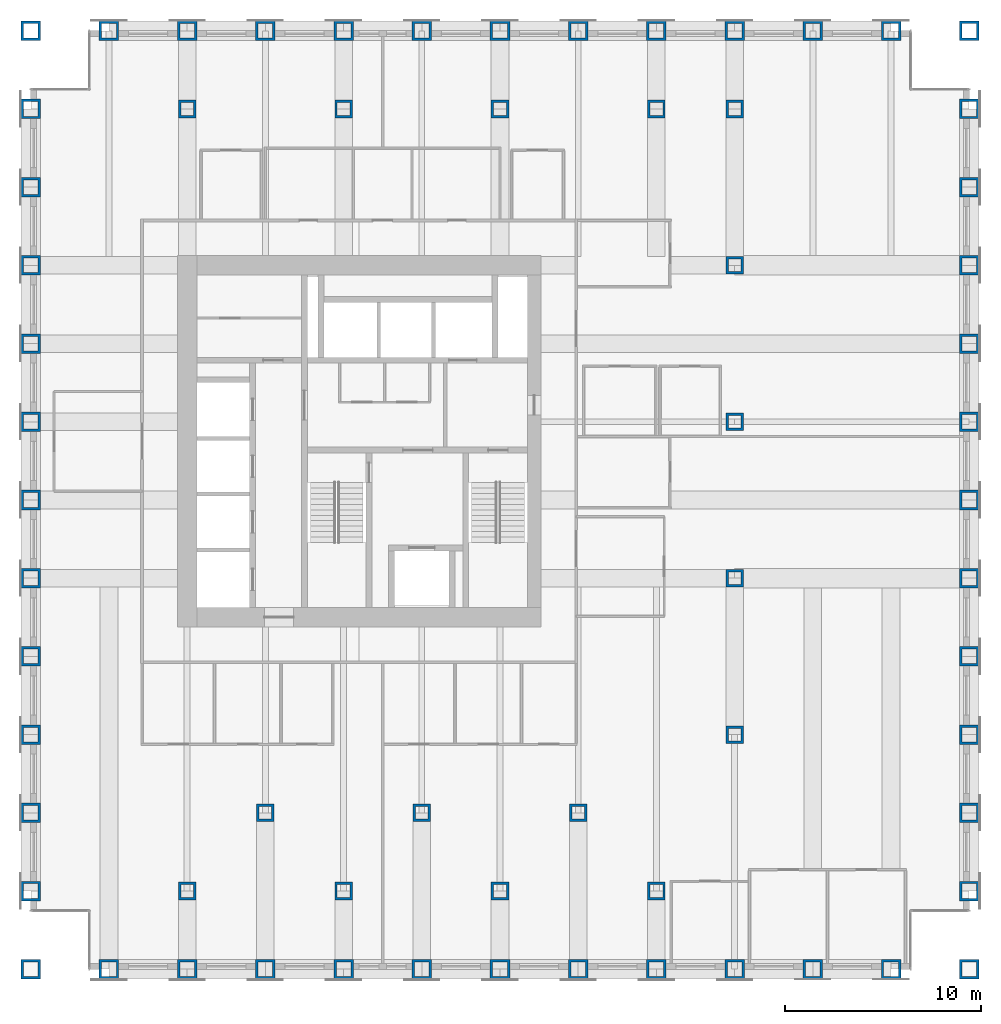
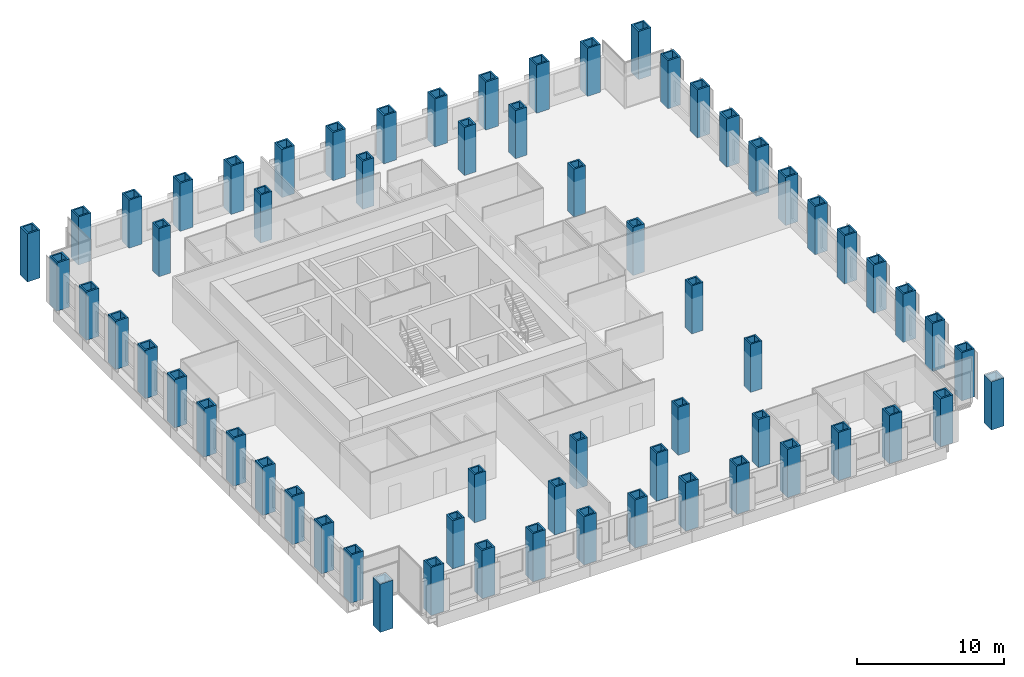
# One storey, part 1 of 17: 64 columns.
"""IFC4 building model written with IfcOpenShell, lengths in metres."""

from ifc_helpers import new_model, si_unit, direction, frame, origin, origin_2d, place, context, subcontext, project, spatial, hollow_rectangle, extrude, material, material_profile, profile_set, type_object, element, save


model = new_model("IFC4")

# Units and contexts
model_context = context("Model", 3, precision=1e-05, world=origin(), true_north=direction((0.0, 1.0)))
body_context = subcontext(model_context, "Body", "Model", "MODEL_VIEW")
ifc_project = project(units=[si_unit("LENGTHUNIT", "METRE"), si_unit("AREAUNIT", "SQUARE_METRE"), si_unit("VOLUMEUNIT", "CUBIC_METRE"), si_unit("PLANEANGLEUNIT", "RADIAN"), si_unit("MASSUNIT", "GRAM", prefix="KILO")], contexts=[model_context])

# Site, building, storey
site_placement = place(None, origin())
site = spatial("IfcSite", under=ifc_project, at=site_placement, CompositionType="ELEMENT")
building_placement = place(site_placement, origin())
building = spatial("IfcBuilding", under=site, at=building_placement, Name="Rimbunsela Tower", CompositionType="ELEMENT")
storey_placement = place(building_placement, frame((0.0, 0.0, 101.39990234375)))
storey = spatial("IfcBuildingStorey", under=building, at=storey_placement, Name="L24", CompositionType="ELEMENT", Elevation=101.39990234375)

# Columns
ifc_material_1 = material(Name="Steel BJ 55 (fy 410 MPa)", Category="steel")
ifc_material_profile_1 = material_profile(ifc_material_1, hollow_rectangle(XDim=1.0, YDim=1.0, WallThickness=0.125, at=origin_2d()), Name="BOX 1000x1000x125")
ifc_profile_set_1 = profile_set([ifc_material_profile_1], Name="Steel BJ 55 (fy 410 MPa)")
column_type_1 = type_object("IfcColumnType", Name="Column BOX 1000x1000x125", PredefinedType="COLUMN", material=ifc_profile_set_1)
for number, where, z_axis, x_axis, name in (
    (1, (10.0, 0.0, 0.0), (0.0, 0.0, 1.0), (1.0, 0.0, 0.0), "Column C8 5/B L24"),
    (2, (10.0, 4.0, 0.0), (0.0, 0.0, 1.0), (1.0, 0.0, 0.0), "Column C8 5/C L24"),
    (3, (10.0, 8.0, 0.0), (0.0, 0.0, 1.0), (1.0, 0.0, 0.0), "Column C8 5/D L24"),
    (4, (10.0, 12.0, 0.0), (0.0, 0.0, 1.0), (1.0, 0.0, 0.0), "Column C8 5/E L24"),
    (5, (10.0, 16.0, 0.0), (0.0, 0.0, 1.0), (1.0, 0.0, 0.0), "Column C8 5/F L24"),
    (6, (10.0, 20.0, 0.0), (0.0, 0.0, 1.0), (1.0, 0.0, 0.0), "Column C8 5/G L24"),
    (7, (10.0, 24.0, 0.0), (0.0, 0.0, 1.0), (1.0, 0.0, 0.0), "Column C8 5/H L24"),
    (8, (10.0, 28.0, 0.0), (0.0, 0.0, 1.0), (1.0, 0.0, 0.0), "Column C8 5/J L24"),
    (9, (10.0, 32.0, 0.0), (0.0, 0.0, 1.0), (1.0, 0.0, 0.0), "Column C8 5/K L24"),
    (10, (10.0, 36.0, 0.0), (0.0, 0.0, 1.0), (1.0, 0.0, 0.0), "Column C8 5/L L24"),
    (11, (10.0, 40.0, 0.0), (0.0, 0.0, 1.0), (1.0, 0.0, 0.0), "Column C8 5/M L24"),
    (12, (10.0, 44.0, 0.0), (0.0, 0.0, 1.0), (1.0, 0.0, 0.0), "Column C8 5/N L24"),
    (13, (10.0, 48.0, 0.0), (0.0, 0.0, 1.0), (1.0, 0.0, 0.0), "Column C8 5/P L24"),
    (14, (14.0, 0.0, 0.0), (0.0, 0.0, 1.0), (1.0, 0.0, 0.0), "Column C8 6/B L24"),
    (15, (14.0, 48.0, 0.0), (0.0, 0.0, 1.0), (1.0, 0.0, 0.0), "Column C8 6/P L24"),
    (16, (18.0, 0.0, 0.0), (0.0, 0.0, 1.0), (1.0, 0.0, 0.0), "Column C8 7/B L24"),
    (17, (18.0, 48.0, 0.0), (0.0, 0.0, 1.0), (1.0, 0.0, 0.0), "Column C8 7/P L24"),
    (18, (22.0, 0.0, 0.0), (0.0, 0.0, 1.0), (1.0, 0.0, 0.0), "Column C8 8/B L24"),
    (19, (22.0, 48.0, 0.0), (0.0, 0.0, 1.0), (1.0, 0.0, 0.0), "Column C8 8/P L24"),
    (20, (26.0, 0.0, 0.0), (0.0, 0.0, 1.0), (1.0, 0.0, 0.0), "Column C8 9/B L24"),
    (21, (26.0, 48.0, 0.0), (0.0, 0.0, 1.0), (1.0, 0.0, 0.0), "Column C8 9/P L24"),
    (22, (30.0, 0.0, 0.0), (0.0, 0.0, 1.0), (1.0, 0.0, 0.0), "Column C8 10/B L24"),
    (23, (30.0, 48.0, 0.0), (0.0, 0.0, 1.0), (1.0, 0.0, 0.0), "Column C8 10/P L24"),
    (24, (34.0, 0.0, 0.0), (0.0, 0.0, 1.0), (1.0, 0.0, 0.0), "Column C8 11/B L24"),
    (25, (34.0, 48.0, 0.0), (0.0, 0.0, 1.0), (1.0, 0.0, 0.0), "Column C8 11/P L24"),
    (26, (38.0, 0.0, 0.0), (0.0, 0.0, 1.0), (1.0, 0.0, 0.0), "Column C8 12/B L24"),
    (27, (38.0, 48.0, 0.0), (0.0, 0.0, 1.0), (1.0, 0.0, 0.0), "Column C8 12/P L24"),
    (28, (42.0, 0.0, 0.0), (0.0, 0.0, 1.0), (1.0, 0.0, 0.0), "Column C8 13/B L24"),
    (29, (42.0, 48.0, 0.0), (0.0, 0.0, 1.0), (1.0, 0.0, 0.0), "Column C8 13/P L24"),
    (30, (46.0, 0.0, 0.0), (0.0, 0.0, 1.0), (1.0, 0.0, 0.0), "Column C8 14/B L24"),
    (31, (46.0, 48.0, 0.0), (0.0, 0.0, 1.0), (1.0, 0.0, 0.0), "Column C8 14/P L24"),
    (32, (50.0, 0.0, 0.0), (0.0, 0.0, 1.0), (1.0, 0.0, 0.0), "Column C8 15/B L24"),
    (33, (50.0, 48.0, 0.0), (0.0, 0.0, 1.0), (1.0, 0.0, 0.0), "Column C8 15/P L24"),
    (34, (54.0, 0.0, 0.0), (0.0, 0.0, 1.0), (1.0, 0.0, 0.0), "Column C8 16/B L24"),
    (35, (54.0, 48.0, 0.0), (0.0, 0.0, 1.0), (1.0, 0.0, 0.0), "Column C8 16/P L24"),
    (36, (58.0, 0.0, 0.0), (0.0, 0.0, 1.0), (1.0, 0.0, 0.0), "Column C8 17/B L24"),
    (37, (58.0, 4.0, 0.0), (0.0, 0.0, 1.0), (1.0, 0.0, 0.0), "Column C8 17/C L24"),
    (38, (58.0, 8.0, 0.0), (0.0, 0.0, 1.0), (1.0, 0.0, 0.0), "Column C8 17/D L24"),
    (39, (58.0, 12.0, 0.0), (0.0, 0.0, 1.0), (1.0, 0.0, 0.0), "Column C8 17/E L24"),
    (40, (58.0, 16.0, 0.0), (0.0, 0.0, 1.0), (1.0, 0.0, 0.0), "Column C8 17/F L24"),
    (41, (58.0, 20.0, 0.0), (0.0, 0.0, 1.0), (1.0, 0.0, 0.0), "Column C8 17/G L24"),
    (42, (58.0, 24.0, 0.0), (0.0, 0.0, 1.0), (1.0, 0.0, 0.0), "Column C8 17/H L24"),
    (43, (58.0, 28.0, 0.0), (0.0, 0.0, 1.0), (1.0, 0.0, 0.0), "Column C8 17/J L24"),
    (44, (58.0, 32.0, 0.0), (0.0, 0.0, 1.0), (1.0, 0.0, 0.0), "Column C8 17/K L24"),
    (45, (58.0, 36.0, 0.0), (0.0, 0.0, 1.0), (1.0, 0.0, 0.0), "Column C8 17/L L24"),
    (46, (58.0, 40.0, 0.0), (0.0, 0.0, 1.0), (1.0, 0.0, 0.0), "Column C8 17/M L24"),
    (47, (58.0, 44.0, 0.0), (0.0, 0.0, 1.0), (1.0, 0.0, 0.0), "Column C8 17/N L24"),
    (48, (58.0, 48.0, 0.0), (0.0, 0.0, 1.0), (1.0, 0.0, 0.0), "Column C8 17/P L24"),
):
    element("IfcColumn", number, at=place(storey_placement, frame(where, z_axis=z_axis, x_axis=x_axis)), inside=storey, type_object=column_type_1, Name=name, PredefinedType="COLUMN", context=body_context, shape_type="SweptSolid", body=[
        extrude(hollow_rectangle(XDim=1.0, YDim=1.0, WallThickness=0.125, at=origin_2d()), origin(), (0.0, 0.0, 1.0), 4.0),
    ])
ifc_material_2 = material(Name="Steel BJ 55 (fy 410 MPa)", Category="steel")
ifc_material_profile_2 = material_profile(ifc_material_2, hollow_rectangle(XDim=0.89990234375, YDim=0.89990234375, WallThickness=0.125, at=origin_2d()), Name="BOX 900x900x125")
ifc_profile_set_2 = profile_set([ifc_material_profile_2], Name="Steel BJ 55 (fy 410 MPa)")
column_type_2 = type_object("IfcColumnType", Name="Column BOX 900x900x125", PredefinedType="COLUMN", material=ifc_profile_set_2)
for number, where, z_axis, x_axis, name in (
    (49, (18.0, 4.0, 0.0), (0.0, 0.0, 1.0), (1.0, 0.0, 0.0), "Column C9 7/C L24"),
    (50, (18.0, 44.0, 0.0), (0.0, 0.0, 1.0), (1.0, 0.0, 0.0), "Column C9 7/N L24"),
    (51, (22.0, 8.0, 0.0), (0.0, 0.0, 1.0), (1.0, 0.0, 0.0), "Column C9 8/D L24"),
    (52, (26.0, 4.0, 0.0), (0.0, 0.0, 1.0), (1.0, 0.0, 0.0), "Column C9 9/C L24"),
    (53, (26.0, 44.0, 0.0), (0.0, 0.0, 1.0), (1.0, 0.0, 0.0), "Column C9 9/N L24"),
    (54, (30.0, 8.0, 0.0), (0.0, 0.0, 1.0), (1.0, 0.0, 0.0), "Column C9 10/D L24"),
    (55, (34.0, 4.0, 0.0), (0.0, 0.0, 1.0), (1.0, 0.0, 0.0), "Column C9 11/C L24"),
    (56, (34.0, 44.0, 0.0), (0.0, 0.0, 1.0), (1.0, 0.0, 0.0), "Column C9 11/N L24"),
    (57, (38.0, 8.0, 0.0), (0.0, 0.0, 1.0), (1.0, 0.0, 0.0), "Column C9 12/D L24"),
    (58, (42.0, 4.0, 0.0), (0.0, 0.0, 1.0), (1.0, 0.0, 0.0), "Column C9 13/C L24"),
    (59, (42.0, 44.0, 0.0), (0.0, 0.0, 1.0), (1.0, 0.0, 0.0), "Column C9 13/N L24"),
    (60, (46.0, 12.0, 0.0), (0.0, 0.0, 1.0), (1.0, 0.0, 0.0), "Column C9 14/E L24"),
    (61, (46.0, 20.0, 0.0), (0.0, 0.0, 1.0), (1.0, 0.0, 0.0), "Column C9 14/G L24"),
    (62, (46.0, 28.0, 0.0), (0.0, 0.0, 1.0), (1.0, 0.0, 0.0), "Column C9 14/J L24"),
    (63, (46.0, 36.0, 0.0), (0.0, 0.0, 1.0), (1.0, 0.0, 0.0), "Column C9 14/L L24"),
    (64, (46.0, 44.0, 0.0), (0.0, 0.0, 1.0), (1.0, 0.0, 0.0), "Column C9 14/N L24"),
):
    element("IfcColumn", number, at=place(storey_placement, frame(where, z_axis=z_axis, x_axis=x_axis)), inside=storey, type_object=column_type_2, Name=name, PredefinedType="COLUMN", context=body_context, shape_type="SweptSolid", body=[
        extrude(hollow_rectangle(XDim=0.89990234375, YDim=0.89990234375, WallThickness=0.125, at=origin_2d()), origin(), (0.0, 0.0, 1.0), 4.0),
    ])

save(model, "model.ifc")
